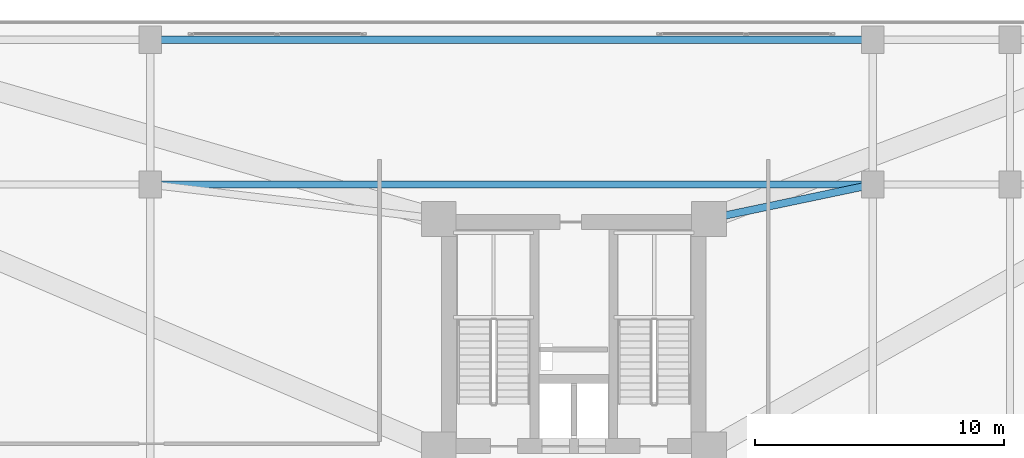
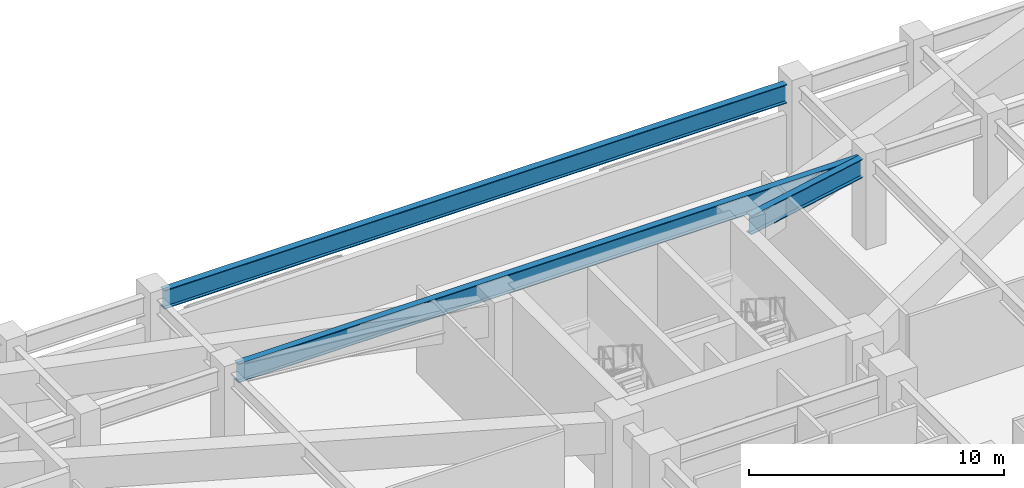
# One storey, part 3 of 9: 3 beams.
"""IFC4 building model written with IfcOpenShell, lengths in metres."""

from ifc_helpers import new_model, si_unit, direction, frame, origin, origin_2d, place, context, subcontext, project, spatial, i_section, extrude, material, material_profile, profile_set, type_object, element, save


model = new_model("IFC4")

# Units and contexts
model_context = context("Model", 3, precision=1e-05, world=origin(), true_north=direction((0.0, 1.0)))
body_context = subcontext(model_context, "Body", "Model", "MODEL_VIEW")
ifc_project = project(units=[si_unit("LENGTHUNIT", "METRE"), si_unit("AREAUNIT", "SQUARE_METRE"), si_unit("VOLUMEUNIT", "CUBIC_METRE"), si_unit("PLANEANGLEUNIT", "RADIAN"), si_unit("MASSUNIT", "GRAM", prefix="KILO")], contexts=[model_context])

# Site, building, storey
site_placement = place(None, origin())
site = spatial("IfcSite", under=ifc_project, at=site_placement, CompositionType="ELEMENT")
building_placement = place(site_placement, origin())
building = spatial("IfcBuilding", under=site, at=building_placement, Name="Varnakorn Sky Granary", CompositionType="ELEMENT")
storey_placement = place(building_placement, frame((0.0, 0.0, 23.0)))
storey = spatial("IfcBuildingStorey", under=building, at=storey_placement, Name="L05", CompositionType="ELEMENT", Elevation=23.0)

# Beams
ifc_material = material(Name="Steel S355JR", Category="steel")
ifc_material_profile = material_profile(ifc_material, i_section(OverallWidth=0.300048828125, OverallDepth=0.89990234375, WebThickness=0.0185546875, FlangeThickness=0.034912109375, at=origin_2d()), Name="HE 900 B")
ifc_profile_set = profile_set([ifc_material_profile], Name="Steel S355JR")
beam_type = type_object("IfcBeamType", Name="BM-PG-900", PredefinedType="BEAM", material=ifc_profile_set)
for number, where, z_axis, x_axis, name in (
    (1, (-13.580078125, 14.0, 3.699951171875), (1.0, 0.0, 0.0), (0.0, 1.0, 0.0), "Podium X-Girder GX11 L05"),
    (2, (-13.580078125, 19.800048828125, 3.699951171875), (1.0, 0.0, 0.0), (0.0, 1.0, 0.0), "Podium X-Girder GX16 L05"),
):
    element("IfcBeam", number, at=place(storey_placement, frame(where, z_axis=z_axis, x_axis=x_axis)), inside=storey, type_object=beam_type, Name=name, PredefinedType="BEAM", context=body_context, shape_type="SweptSolid", body=[
        extrude(i_section(OverallWidth=0.300048828125, OverallDepth=0.89990234375, WebThickness=0.0185546875, FlangeThickness=0.034912109375, at=origin_2d()), origin(), (0.0, 0.0, 1.0), 28.16015625),
    ])
beam_placement = place(storey_placement, frame((14.5888671875, 13.913818359375, 3.699951171875), z_axis=(-0.978708882908, -0.205253313045, 0.0), x_axis=(0.205253313045, -0.978708882908, 0.0)))
element("IfcBeam", 3, at=beam_placement, inside=storey, type_object=beam_type, Name="Podium Core Tie Girder 3 L05", PredefinedType="BEAM", context=body_context, shape_type="SweptSolid", body=[
    extrude(i_section(OverallWidth=0.300048828125, OverallDepth=0.89990234375, WebThickness=0.0185546875, FlangeThickness=0.034912109375, at=origin_2d()), origin(), (0.0, 0.0, 1.0), 5.883056640625),
])

save(model, "model.ifc")
